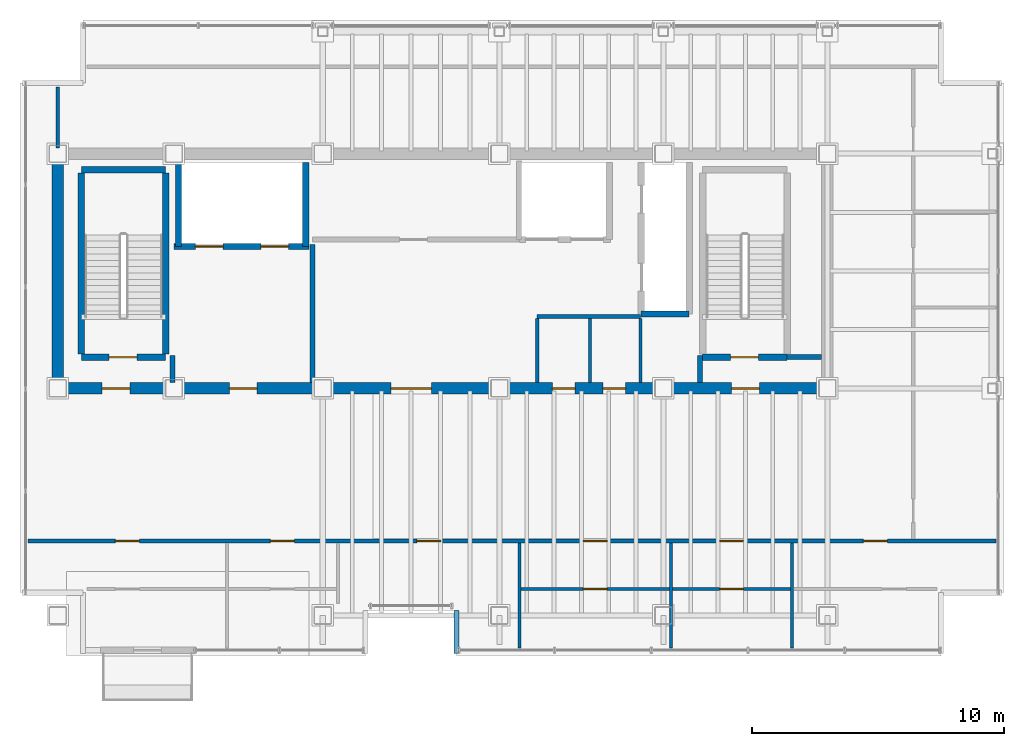
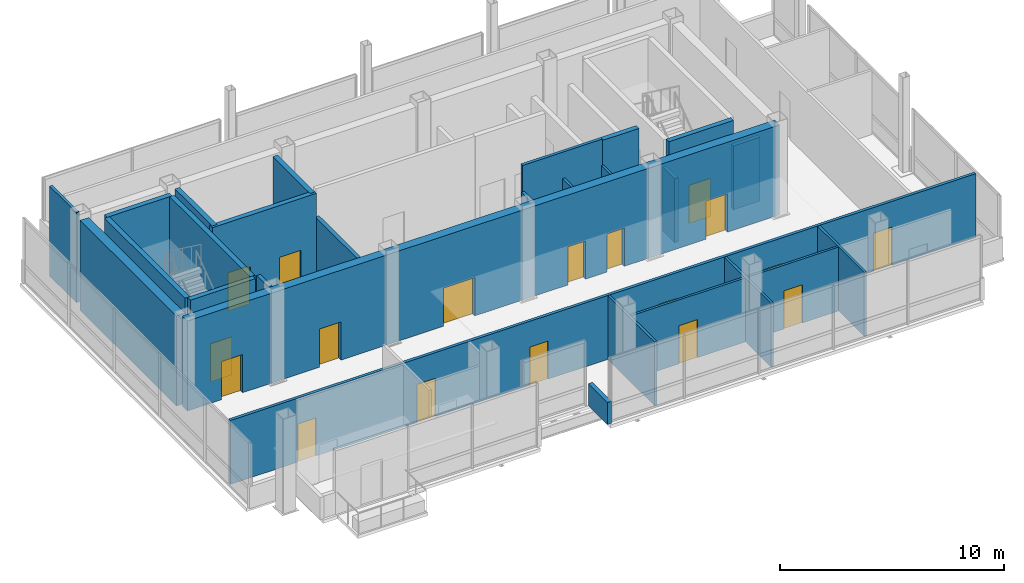
# One storey, part 15 of 17: 27 walls, 18 doors, 18 openings.
"""IFC4 building model written with IfcOpenShell, lengths in metres."""

import ifcopenshell
import ifcopenshell.guid

model = None  # the IFC model being written
_history = None  # IfcOwnerHistory: only IFC2X3 demands one
_inside = {}  # id of a spatial element -> (the spatial element, [elements in it])
_under = {}  # id of a project, library or spatial element -> (it, [spatial elements below it])
_declared = {}  # id of a project -> (the project, [libraries it declares])
_typed = {}  # id of a type object -> (the type object, [elements of that type])
_made_of = {}  # id of a material, layer set ... -> (it, [elements and type objects made of it])


def new_model(schema):
    """Start an empty IFC model of exactly this schema.

    Asked for "IFC4X3", IfcOpenShell would pick the latest addendum, in which some entities
    have other attributes; the version numbers below select the first issue.
    IFC2X3 requires an IfcOwnerHistory on every rooted entity: one is made here for all.
    """
    global model, _history
    if schema == "IFC4X3":
        model = ifcopenshell.file(schema_version=(4, 3, 0, 0))
    else:
        model = ifcopenshell.file(schema=schema)
    _inside.clear()
    _under.clear()
    _declared.clear()
    _typed.clear()
    _made_of.clear()
    _history = None
    if model.schema == "IFC2X3":
        org = make("IfcOrganization", Name="unknown")
        user = make(
            "IfcPersonAndOrganization",
            ThePerson=make("IfcPerson", FamilyName="unknown"),
            TheOrganization=org,
        )
        app = make(
            "IfcApplication",
            ApplicationDeveloper=org,
            Version="unknown",
            ApplicationFullName="unknown",
            ApplicationIdentifier="unknown",
        )
        _history = make(
            "IfcOwnerHistory",
            OwningUser=user,
            OwningApplication=app,
            ChangeAction="ADDED",
            CreationDate=0,
        )
    return model


def make(cls, **values):
    """One entity of the class cls with the attributes given. An attribute that is None is left unset."""
    return model.create_entity(
        cls, **{name: value for name, value in values.items() if value is not None}
    )


def rooted(cls, **values):
    """An entity with a GlobalId (a new one), such as an element, a storey or a relation."""
    return make(cls, GlobalId=ifcopenshell.guid.new(), OwnerHistory=_history, **values)


def si_unit(unit_type, name, prefix=None):
    """IfcSIUnit, for example si_unit("LENGTHUNIT", "METRE", prefix="MILLI")."""
    return make("IfcSIUnit", UnitType=unit_type, Prefix=prefix, Name=name)


def assignment(units):
    """IfcUnitAssignment: the units of a project."""
    return None if units is None else make("IfcUnitAssignment", Units=units)


def point(xyz):
    """IfcCartesianPoint."""
    return None if xyz is None else make("IfcCartesianPoint", Coordinates=xyz)


def direction(xyz):
    """IfcDirection."""
    return None if xyz is None else make("IfcDirection", DirectionRatios=xyz)


def frame(location, z_axis=None, x_axis=None):
    """IfcAxis2Placement3D, a coordinate frame: its origin and axes. An axis left out is left unset."""
    return make(
        "IfcAxis2Placement3D",
        Location=point(location),
        Axis=direction(z_axis),
        RefDirection=direction(x_axis),
    )


def frame_2d(location, x_axis=None):
    """IfcAxis2Placement2D, a coordinate frame in the plane: its origin and x axis."""
    return make(
        "IfcAxis2Placement2D", Location=point(location), RefDirection=direction(x_axis)
    )


def origin():
    """The frame at (0, 0, 0) with its axes left unset."""
    return frame((0.0, 0.0, 0.0))


def place(relative_to, where):
    """IfcLocalPlacement: puts the frame where relative to a parent placement (None: the world)."""
    return make(
        "IfcLocalPlacement", PlacementRelTo=relative_to, RelativePlacement=where
    )


def context(
    kind, dimensions, precision=None, world=None, true_north=None, identifier=None
):
    """IfcGeometricRepresentationContext, for example the 3D "Model" context."""
    return make(
        "IfcGeometricRepresentationContext",
        ContextIdentifier=identifier,
        ContextType=kind,
        CoordinateSpaceDimension=dimensions,
        Precision=precision,
        WorldCoordinateSystem=world,
        TrueNorth=true_north,
    )


def subcontext(parent, identifier, kind, view, scale=None):
    """IfcGeometricRepresentationSubContext, for example "Body" below "Model"."""
    return make(
        "IfcGeometricRepresentationSubContext",
        ContextIdentifier=identifier,
        ContextType=kind,
        ParentContext=parent,
        TargetScale=scale,
        TargetView=view,
    )


def project(units=None, contexts=None):
    """IfcProject with its units and contexts."""
    return rooted(
        "IfcProject",
        Name="project",
        RepresentationContexts=contexts,
        UnitsInContext=assignment(units),
    )


def spatial(cls, under=None, at=None, **own):
    """A site, building, storey or space (cls), placed at a placement, below another one or the project."""
    s = rooted(cls, ObjectPlacement=at, **own)
    if under is not None:
        _under.setdefault(under.id(), (under, []))[1].append(s)
    return s


def profile(cls, at=None, kind="AREA", **sizes):
    """A parametric profile (cls). Its sizes go by their IFC names, for example OverallWidth=200.0."""
    return make(cls, ProfileType=kind, Position=at, **sizes)


def rectangle(**sizes):
    """IfcRectangleProfileDef."""
    return profile("IfcRectangleProfileDef", **sizes)


def extrude(swept, where, along, depth):
    """IfcExtrudedAreaSolid: the profile swept, set in the frame where, extruded along a direction by depth."""
    return make(
        "IfcExtrudedAreaSolid",
        SweptArea=swept,
        Position=where,
        ExtrudedDirection=direction(along),
        Depth=depth,
    )


def shape(context_of_items, identifier, shape_type, items):
    """IfcShapeRepresentation: the items that make up one representation, for example the "Body"."""
    return make(
        "IfcShapeRepresentation",
        ContextOfItems=context_of_items,
        RepresentationIdentifier=identifier,
        RepresentationType=shape_type,
        Items=items,
    )


def material(Name=None, Category=None):
    """IfcMaterial."""
    return make("IfcMaterial", Name=Name, Category=Category)


def layer(
    of_material, thickness, ventilated=None, Name=None, Category=None, Priority=None
):
    """IfcMaterialLayer: one layer of a wall or slab, of a material (None: an air gap)."""
    return make(
        "IfcMaterialLayer",
        Material=of_material,
        LayerThickness=thickness,
        IsVentilated=ventilated,
        Name=Name,
        Category=Category,
        Priority=Priority,
    )


def layer_set(layers, Name=None):
    """IfcMaterialLayerSet."""
    return make("IfcMaterialLayerSet", MaterialLayers=layers, LayerSetName=Name)


def made_of(thing, what):
    """Note that an element or type object is made of a material, layer set ...; save() writes the relation."""
    if what is not None:
        _made_of.setdefault(what.id(), (what, []))[1].append(thing)
    return thing


def type_object(cls, material=None, **own):
    """A type object (cls), such as IfcWallType, which elements share."""
    return made_of(rooted(cls, **own), material)


def element(
    cls,
    number,
    at=None,
    inside=None,
    cuts=None,
    type_object=None,
    material=None,
    context=None,
    identifier="Body",
    shape_type=None,
    held_by="IfcProductDefinitionShape",
    body=None,
    shapes=None,
    **own,
):
    """One element of the class cls, such as IfcWall. Its Tag is "e" and its number.

    at: its placement. inside: the storey or other place that contains it. cuts: it is an
    opening in that element (IfcRelVoidsElement). A single representation is given by context,
    identifier, shape_type and body (its items); several are given by shapes. held_by: the class
    of the entity that holds the representations. save() writes the other relations.
    """
    e = rooted(cls, Tag="e%d" % number, ObjectPlacement=at, **own)
    if body is not None:
        shapes = [shape(context, identifier, shape_type, body)]
    if shapes is not None:
        e.Representation = make(held_by, Representations=shapes)
    if inside is not None:
        _inside.setdefault(inside.id(), (inside, []))[1].append(e)
    if cuts is not None:
        rooted(
            "IfcRelVoidsElement", RelatingBuildingElement=cuts, RelatedOpeningElement=e
        )
    if type_object is not None:
        _typed.setdefault(type_object.id(), (type_object, []))[1].append(e)
    return made_of(e, material)


def fill(opening, filler):
    """IfcRelFillsElement: the door or window that sits in an opening."""
    return rooted(
        "IfcRelFillsElement",
        RelatingOpeningElement=opening,
        RelatedBuildingElement=filler,
    )


def aggregate(whole, parts):
    """IfcRelAggregates: a whole, such as a stair, and the parts it consists of."""
    return rooted("IfcRelAggregates", RelatingObject=whole, RelatedObjects=parts)


def save(model, path):
    """Write the relations noted so far, then the file.

    IfcRelAggregates (storeys below a building ...), IfcRelContainedInSpatialStructure (elements
    in a storey), IfcRelDefinesByType, IfcRelAssociatesMaterial and IfcRelDeclares: one each for
    every whole, place, type object, material and project.
    """
    for whole, parts in _under.values():
        aggregate(whole, parts)
    for where, things in _inside.values():
        rooted(
            "IfcRelContainedInSpatialStructure",
            RelatedElements=things,
            RelatingStructure=where,
        )
    for kind, things in _typed.values():
        rooted("IfcRelDefinesByType", RelatedObjects=things, RelatingType=kind)
    for what, things in _made_of.values():
        rooted("IfcRelAssociatesMaterial", RelatedObjects=things, RelatingMaterial=what)
    for by, libraries in _declared.values():
        rooted("IfcRelDeclares", RelatingContext=by, RelatedDefinitions=libraries)
    model.write(path)


model = new_model("IFC4")

# Units and contexts
model_context = context("Model", 3, precision=1e-05, world=origin(), true_north=direction((0.0, 1.0)))
body_context = subcontext(model_context, "Body", "Model", "MODEL_VIEW")
ifc_project = project(units=[si_unit("LENGTHUNIT", "METRE"), si_unit("AREAUNIT", "SQUARE_METRE"), si_unit("VOLUMEUNIT", "CUBIC_METRE"), si_unit("PLANEANGLEUNIT", "RADIAN"), si_unit("MASSUNIT", "GRAM", prefix="KILO")], contexts=[model_context])

# Site, building, storey
site_placement = place(None, origin())
site = spatial("IfcSite", under=ifc_project, at=site_placement, CompositionType="ELEMENT")
building_placement = place(site_placement, origin())
building = spatial("IfcBuilding", under=site, at=building_placement, Name="Noeulbin Bourse Tower", CompositionType="ELEMENT")
storey_placement = place(building_placement, frame((0.0, 0.0, 300.800048828125)))
storey = spatial("IfcBuildingStorey", under=building, at=storey_placement, Name="L75", CompositionType="ELEMENT", Elevation=300.800048828125)

# Wall, openings, doors
ifc_material_1 = material(Name="Concrete C50/60", Category="concrete")
ifc_layer_1 = layer(ifc_material_1, 0.449951171875)
ifc_layer_set_1 = layer_set([ifc_layer_1], Name="Concrete C50/60")
wall_type_1 = type_object("IfcWallType", Name="WAL-CORE-450", PredefinedType="SHEAR", material=ifc_layer_set_1)
wall_1_placement = place(storey_placement, frame((13.5, 29.0, 0.0), z_axis=(0.0, 0.0, 1.0), x_axis=(1.0, 0.0, 0.0)))
wall_1 = element("IfcWall", 1, at=wall_1_placement, inside=storey, type_object=wall_type_1, Name="Rear Core South Shear Wall L75", PredefinedType="SHEAR", context=body_context, shape_type="SweptSolid", body=[
    extrude(rectangle(XDim=30.5, YDim=0.449951171875, at=frame_2d((15.25, 0.0))), origin(), (0.0, 0.0, 1.0), 4.89990234375),
])
opening_1_placement = place(wall_1_placement, frame((1.75, 0.0, 0.0)))
opening_1 = element("IfcOpeningElement", 2, at=opening_1_placement, cuts=wall_1, Name="Opening FD-11", PredefinedType="OPENING", context=body_context, shape_type="SweptSolid", body=[
    extrude(rectangle(XDim=1.10009765625, YDim=2.080078125, at=frame_2d((0.550048828125, 1.0400390625))), frame((0.0, 0.23486328125, 0.0), z_axis=(0.0, -1.0, 0.0), x_axis=(1.0, 0.0, 0.0)), (0.0, 0.0, 1.0), 0.469970703125),
])
opening_2_placement = place(wall_1_placement, frame((26.699951171875, 0.0, 0.0)))
opening_2 = element("IfcOpeningElement", 3, at=opening_2_placement, cuts=wall_1, Name="Opening FD-11", PredefinedType="OPENING", context=body_context, shape_type="SweptSolid", body=[
    extrude(rectangle(XDim=1.10009765625, YDim=2.080078125, at=frame_2d((0.550048828125, 1.0400390625))), frame((0.0, 0.23486328125, 0.0), z_axis=(0.0, -1.0, 0.0), x_axis=(1.0, 0.0, 0.0)), (0.0, 0.0, 1.0), 0.469970703125),
])
opening_3_placement = place(wall_1_placement, frame((6.800048828125, 0.0, 0.0)))
opening_3 = element("IfcOpeningElement", 4, at=opening_3_placement, cuts=wall_1, Name="Opening FD-11", PredefinedType="OPENING", context=body_context, shape_type="SweptSolid", body=[
    extrude(rectangle(XDim=1.10009765625, YDim=2.080078125, at=frame_2d((0.550048828125, 1.0400390625))), frame((0.0, 0.23486328125, 0.0), z_axis=(0.0, -1.0, 0.0), x_axis=(1.0, 0.0, 0.0)), (0.0, 0.0, 1.0), 0.469970703125),
])
opening_4_placement = place(wall_1_placement, frame((13.199951171875, 0.0, 0.0)))
opening_4 = element("IfcOpeningElement", 5, at=opening_4_placement, cuts=wall_1, Name="Opening ID-16", PredefinedType="OPENING", context=body_context, shape_type="SweptSolid", body=[
    extrude(rectangle(XDim=1.60009765625, YDim=2.080078125, at=frame_2d((0.800048828125, 1.0400390625))), frame((0.0, 0.23486328125, 0.0), z_axis=(0.0, -1.0, 0.0), x_axis=(1.0, 0.0, 0.0)), (0.0, 0.0, 1.0), 0.469970703125),
])
opening_5_placement = place(wall_1_placement, frame((19.60009765625, 0.0, 0.0)))
opening_5 = element("IfcOpeningElement", 6, at=opening_5_placement, cuts=wall_1, Name="Opening FD-09", PredefinedType="OPENING", context=body_context, shape_type="SweptSolid", body=[
    extrude(rectangle(XDim=0.89990234375, YDim=2.080078125, at=frame_2d((0.449951171875, 1.0400390625))), frame((0.0, 0.23486328125, 0.0), z_axis=(0.0, -1.0, 0.0), x_axis=(1.0, 0.0, 0.0)), (0.0, 0.0, 1.0), 0.469970703125),
])
opening_6_placement = place(wall_1_placement, frame((21.60009765625, 0.0, 0.0)))
opening_6 = element("IfcOpeningElement", 7, at=opening_6_placement, cuts=wall_1, Name="Opening FD-09", PredefinedType="OPENING", context=body_context, shape_type="SweptSolid", body=[
    extrude(rectangle(XDim=0.89990234375, YDim=2.080078125, at=frame_2d((0.449951171875, 1.0400390625))), frame((0.0, 0.23486328125, 0.0), z_axis=(0.0, -1.0, 0.0), x_axis=(1.0, 0.0, 0.0)), (0.0, 0.0, 1.0), 0.469970703125),
])
ifc_material_2 = material(Name="Acoustic Glazed Aluminium", Category="aluminium")
door_type_1 = type_object("IfcDoorType", Name="DR-DBL-1600", OperationType="DOUBLE_DOOR_SINGLE_SWING", PredefinedType="DOOR", material=ifc_material_2)
door_1_placement = place(opening_4_placement, origin())
door_1 = element("IfcDoor", 8, at=door_1_placement, inside=storey, type_object=door_type_1, Name="Passenger Lift Lobby Portal L75", OperationType="DOUBLE_DOOR_SINGLE_SWING", OverallHeight=2.080078125, OverallWidth=1.60009765625, PredefinedType="DOOR", context=body_context, shape_type="SweptSolid", body=[
    extrude(rectangle(XDim=1.60009765625, YDim=2.080078125, at=frame_2d((0.800048828125, 1.0400390625))), frame((0.0, 0.02490234375, 0.0), z_axis=(0.0, -1.0, 0.0), x_axis=(1.0, 0.0, 0.0)), (0.0, 0.0, 1.0), 0.050048828125),
])
fill(opening_4, door_1)
ifc_material_3 = material(Name="Fire-Rated Timber Core", Category="wood")
door_type_2 = type_object("IfcDoorType", Name="DR-FD30-900", OperationType="SINGLE_SWING_RIGHT", PredefinedType="DOOR", material=ifc_material_3)
door_2_placement = place(opening_5_placement, origin())
door_2 = element("IfcDoor", 9, at=door_2_placement, inside=storey, type_object=door_type_2, Name="Interior Door L75-06", OperationType="SINGLE_SWING_LEFT", OverallHeight=2.080078125, OverallWidth=0.89990234375, PredefinedType="DOOR", context=body_context, shape_type="SweptSolid", body=[
    extrude(rectangle(XDim=0.89990234375, YDim=2.080078125, at=frame_2d((0.449951171875, 1.0400390625))), frame((0.0, 0.02490234375, 0.0), z_axis=(0.0, -1.0, 0.0), x_axis=(1.0, 0.0, 0.0)), (0.0, 0.0, 1.0), 0.050048828125),
])
fill(opening_5, door_2)
door_3_placement = place(opening_6_placement, origin())
door_3 = element("IfcDoor", 10, at=door_3_placement, inside=storey, type_object=door_type_2, Name="Interior Door L75-07", OperationType="SINGLE_SWING_RIGHT", OverallHeight=2.080078125, OverallWidth=0.89990234375, PredefinedType="DOOR", context=body_context, shape_type="SweptSolid", body=[
    extrude(rectangle(XDim=0.89990234375, YDim=2.080078125, at=frame_2d((0.449951171875, 1.0400390625))), frame((0.0, 0.02490234375, 0.0), z_axis=(0.0, -1.0, 0.0), x_axis=(1.0, 0.0, 0.0)), (0.0, 0.0, 1.0), 0.050048828125),
])
fill(opening_6, door_3)
ifc_material_4 = material(Name="Fire-Rated Insulated Steel", Category="steel")
door_type_3 = type_object("IfcDoorType", Name="DR-FD60-1100", OperationType="SINGLE_SWING_LEFT", PredefinedType="DOOR", material=ifc_material_4)
door_4_placement = place(opening_1_placement, origin())
door_4 = element("IfcDoor", 11, at=door_4_placement, inside=storey, type_object=door_type_3, Name="West Stair Lobby Door L75", OperationType="SINGLE_SWING_RIGHT", OverallHeight=2.080078125, OverallWidth=1.10009765625, PredefinedType="DOOR", context=body_context, shape_type="SweptSolid", body=[
    extrude(rectangle(XDim=1.10009765625, YDim=2.080078125, at=frame_2d((0.550048828125, 1.0400390625))), frame((0.0, 0.02490234375, 0.0), z_axis=(0.0, -1.0, 0.0), x_axis=(1.0, 0.0, 0.0)), (0.0, 0.0, 1.0), 0.050048828125),
])
fill(opening_1, door_4)
door_5_placement = place(opening_2_placement, origin())
door_5 = element("IfcDoor", 12, at=door_5_placement, inside=storey, type_object=door_type_3, Name="East Stair Lobby Door L75", OperationType="SINGLE_SWING_LEFT", OverallHeight=2.080078125, OverallWidth=1.10009765625, PredefinedType="DOOR", context=body_context, shape_type="SweptSolid", body=[
    extrude(rectangle(XDim=1.10009765625, YDim=2.080078125, at=frame_2d((0.550048828125, 1.0400390625))), frame((0.0, 0.02490234375, 0.0), z_axis=(0.0, -1.0, 0.0), x_axis=(1.0, 0.0, 0.0)), (0.0, 0.0, 1.0), 0.050048828125),
])
fill(opening_2, door_5)
door_6_placement = place(opening_3_placement, origin())
door_6 = element("IfcDoor", 13, at=door_6_placement, inside=storey, type_object=door_type_3, Name="Firefighting Lobby Door L75", OperationType="SINGLE_SWING_RIGHT", OverallHeight=2.080078125, OverallWidth=1.10009765625, PredefinedType="DOOR", context=body_context, shape_type="SweptSolid", body=[
    extrude(rectangle(XDim=1.10009765625, YDim=2.080078125, at=frame_2d((0.550048828125, 1.0400390625))), frame((0.0, 0.02490234375, 0.0), z_axis=(0.0, -1.0, 0.0), x_axis=(1.0, 0.0, 0.0)), (0.0, 0.0, 1.0), 0.050048828125),
])
fill(opening_3, door_6)

# Walls
wall_2_placement = place(storey_placement, frame((13.5, 29.35009765625, 0.0), z_axis=(0.0, 0.0, 1.0), x_axis=(0.0, 1.0, 0.0)))
element("IfcWall", 14, at=wall_2_placement, inside=storey, type_object=wall_type_1, Name="Rear Core West Shear Wall L75", PredefinedType="SHEAR", context=body_context, shape_type="SweptSolid", body=[
    extrude(rectangle(XDim=8.599853515625, YDim=0.449951171875, at=frame_2d((4.2998046875, 0.0))), origin(), (0.0, 0.0, 1.0), 4.89990234375),
])
ifc_material_5 = material(Name="Concrete C40/50", Category="concrete")
ifc_layer_2 = layer(ifc_material_5, 0.199951171875)
ifc_layer_set_2 = layer_set([ifc_layer_2], Name="Concrete C40/50")
wall_type_2 = type_object("IfcWallType", Name="WAL-FIRE-200", PredefinedType="STANDARD", material=ifc_layer_set_2)
wall_3_placement = place(storey_placement, frame((42.39990234375, 30.239990234375, 0.0), z_axis=(0.0, 0.0, 1.0), x_axis=(1.0, 0.0, 0.0)))
element("IfcWall", 15, at=wall_3_placement, inside=storey, type_object=wall_type_2, Name="Interior Partition Wall L75-01", PredefinedType="STANDARD", context=body_context, shape_type="SweptSolid", body=[
    extrude(rectangle(XDim=1.364990234375, YDim=0.199951171875, at=frame_2d((0.6826171875, 0.0))), origin(), (0.0, 0.0, 1.0), 3.47998046875),
])
wall_4_placement = place(storey_placement, frame((18.050048828125, 29.235107421875, 0.0), z_axis=(0.0, 0.0, 1.0), x_axis=(0.0, 1.0, 0.0)))
element("IfcWall", 16, at=wall_4_placement, inside=storey, type_object=wall_type_2, Name="Interior Partition Wall L75-13", PredefinedType="STANDARD", context=body_context, shape_type="SweptSolid", body=[
    extrude(rectangle(XDim=1.06494140625, YDim=0.199951171875, at=frame_2d((0.532470703125, 0.0))), origin(), (0.0, 0.0, 1.0), 4.89990234375),
])
wall_5_placement = place(storey_placement, frame((38.949951171875, 29.235107421875, 0.0), z_axis=(0.0, 0.0, 1.0), x_axis=(0.0, 1.0, 0.0)))
element("IfcWall", 17, at=wall_5_placement, inside=storey, type_object=wall_type_2, Name="Interior Partition Wall L75-14", PredefinedType="STANDARD", context=body_context, shape_type="SweptSolid", body=[
    extrude(rectangle(XDim=1.06494140625, YDim=0.199951171875, at=frame_2d((0.532470703125, 0.0))), origin(), (0.0, 0.0, 1.0), 3.47998046875),
])
wall_6_placement = place(storey_placement, frame((23.60009765625, 29.235107421875, 0.0), z_axis=(0.0, 0.0, 1.0), x_axis=(0.0, 1.0, 0.0)))
element("IfcWall", 18, at=wall_6_placement, inside=storey, type_object=wall_type_2, Name="Interior Partition Wall L75-15", PredefinedType="STANDARD", context=body_context, shape_type="SweptSolid", body=[
    extrude(rectangle(XDim=5.46484375, YDim=0.199951171875, at=frame_2d((2.732421875, 0.0))), origin(), (0.0, 0.0, 1.0), 3.47998046875),
])
ifc_layer_3 = layer(ifc_material_5, 0.199951171875)
ifc_layer_set_3 = layer_set([ifc_layer_3], Name="Concrete C40/50")
wall_type_3 = type_object("IfcWallType", Name="WAL-PAR-200", PredefinedType="PARAPET", material=ifc_layer_set_3)
wall_7_placement = place(storey_placement, frame((29.300048828125, 20.199951171875, 0.0), z_axis=(0.0, 0.0, 1.0), x_axis=(0.0, -1.0, 0.0)))
element("IfcWall", 19, at=wall_7_placement, inside=storey, type_object=wall_type_3, Name="Sky-Garden Recess Parapet L75-E", PredefinedType="PARAPET", context=body_context, shape_type="SweptSolid", body=[
    extrude(rectangle(XDim=1.699951171875, YDim=0.199951171875, at=frame_2d((0.85009765625, 0.0))), origin(), (0.0, 0.0, 1.0), 1.199951171875),
])

# Wall, opening, door
ifc_material_6 = material(Name="Steel Stud Gypsum Partition", Category="steel")
ifc_layer_4 = layer(ifc_material_6, 0.1201171875)
ifc_layer_set_4 = layer_set([ifc_layer_4], Name="Steel Stud Gypsum Partition")
wall_type_4 = type_object("IfcWallType", Name="WAL-PRT-120", PredefinedType="PARTITIONING", material=ifc_layer_set_4)
wall_8_placement = place(storey_placement, frame((31.800048828125, 21.050048828125, 0.0), z_axis=(0.0, 0.0, 1.0), x_axis=(1.0, 0.0, 0.0)))
wall_8 = element("IfcWall", 20, at=wall_8_placement, inside=storey, type_object=wall_type_4, Name="Interior Partition Wall L75-07", PredefinedType="PARTITIONING", context=body_context, shape_type="SweptSolid", body=[
    extrude(rectangle(XDim=6.0, YDim=0.1201171875, at=frame_2d((3.0, 0.0))), origin(), (0.0, 0.0, 1.0), 3.47998046875),
])
opening_7_placement = place(wall_8_placement, frame((2.52490234375, 0.0, 0.0)))
opening_7 = element("IfcOpeningElement", 21, at=opening_7_placement, cuts=wall_8, Name="Opening ID-09", PredefinedType="OPENING", context=body_context, shape_type="SweptSolid", body=[
    extrude(rectangle(XDim=0.949951171875, YDim=2.080078125, at=frame_2d((0.47509765625, 1.0400390625))), frame((0.0, 0.070068359375, 0.0), z_axis=(0.0, -1.0, 0.0), x_axis=(1.0, 0.0, 0.0)), (0.0, 0.0, 1.0), 0.14013671875),
])
ifc_material_7 = material(Name="Acoustic Solid-Core Timber", Category="wood")
door_type_4 = type_object("IfcDoorType", Name="DR-SINGLE-950", OperationType="SINGLE_SWING_LEFT", PredefinedType="DOOR", material=ifc_material_7)
door_7_placement = place(opening_7_placement, origin())
door_7 = element("IfcDoor", 22, at=door_7_placement, inside=storey, type_object=door_type_4, Name="Interior Door L75-13", OperationType="SINGLE_SWING_RIGHT", OverallHeight=2.080078125, OverallWidth=0.949951171875, PredefinedType="DOOR", context=body_context, shape_type="SweptSolid", body=[
    extrude(rectangle(XDim=0.949951171875, YDim=2.080078125, at=frame_2d((0.47509765625, 1.0400390625))), frame((0.0, 0.02490234375, 0.0), z_axis=(0.0, -1.0, 0.0), x_axis=(1.0, 0.0, 0.0)), (0.0, 0.0, 1.0), 0.050048828125),
])
fill(opening_7, door_7)

wall_9_placement = place(storey_placement, frame((37.800048828125, 21.050048828125, 0.0), z_axis=(0.0, 0.0, 1.0), x_axis=(1.0, 0.0, 0.0)))
wall_9 = element("IfcWall", 23, at=wall_9_placement, inside=storey, type_object=wall_type_4, Name="Interior Partition Wall L75-08", PredefinedType="PARTITIONING", context=body_context, shape_type="SweptSolid", body=[
    extrude(rectangle(XDim=4.800048828125, YDim=0.1201171875, at=frame_2d((2.39990234375, 0.0))), origin(), (0.0, 0.0, 1.0), 3.47998046875),
])
opening_8_placement = place(wall_9_placement, frame((1.925048828125, 0.0, 0.0)))
opening_8 = element("IfcOpeningElement", 24, at=opening_8_placement, cuts=wall_9, Name="Opening ID-09", PredefinedType="OPENING", context=body_context, shape_type="SweptSolid", body=[
    extrude(rectangle(XDim=0.949951171875, YDim=2.080078125, at=frame_2d((0.47509765625, 1.0400390625))), frame((0.0, 0.070068359375, 0.0), z_axis=(0.0, -1.0, 0.0), x_axis=(1.0, 0.0, 0.0)), (0.0, 0.0, 1.0), 0.14013671875),
])
door_8_placement = place(opening_8_placement, origin())
door_8 = element("IfcDoor", 25, at=door_8_placement, inside=storey, type_object=door_type_4, Name="Interior Door L75-15", OperationType="SINGLE_SWING_RIGHT", OverallHeight=2.080078125, OverallWidth=0.949951171875, PredefinedType="DOOR", context=body_context, shape_type="SweptSolid", body=[
    extrude(rectangle(XDim=0.949951171875, YDim=2.080078125, at=frame_2d((0.47509765625, 1.0400390625))), frame((0.0, 0.02490234375, 0.0), z_axis=(0.0, -1.0, 0.0), x_axis=(1.0, 0.0, 0.0)), (0.0, 0.0, 1.0), 0.050048828125),
])
fill(opening_8, door_8)

# Walls
for number, where, z_axis, x_axis, name in (
    (26, (36.60009765625, 29.235107421875, 0.0), (0.0, 0.0, 1.0), (0.0, 1.0, 0.0), "Interior Partition Wall L75-17"),
    (27, (34.60009765625, 29.235107421875, 0.0), (0.0, 0.0, 1.0), (0.0, 1.0, 0.0), "Interior Partition Wall L75-18"),
):
    element("IfcWall", number, at=place(storey_placement, frame(where, z_axis=z_axis, x_axis=x_axis)), inside=storey, type_object=wall_type_4, Name=name, PredefinedType="PARTITIONING", context=body_context, shape_type="SweptSolid", body=[
        extrude(rectangle(XDim=2.52978515625, YDim=0.1201171875, at=frame_2d((1.264892578125, 0.0))), origin(), (0.0, 0.0, 1.0), 3.47998046875),
    ])
for number, where, z_axis, x_axis, name in (
    (28, (31.800048828125, 18.7099609375, 0.0), (0.0, 0.0, 1.0), (0.0, 1.0, 0.0), "Interior Partition Wall L75-22"),
    (29, (37.800048828125, 18.7099609375, 0.0), (0.0, 0.0, 1.0), (0.0, 1.0, 0.0), "Interior Partition Wall L75-23"),
    (30, (42.60009765625, 18.7099609375, 0.0), (0.0, 0.0, 1.0), (0.0, 1.0, 0.0), "Interior Partition Wall L75-24"),
):
    element("IfcWall", number, at=place(storey_placement, frame(where, z_axis=z_axis, x_axis=x_axis)), inside=storey, type_object=wall_type_4, Name=name, PredefinedType="PARTITIONING", context=body_context, shape_type="SweptSolid", body=[
        extrude(rectangle(XDim=4.155029296875, YDim=0.1201171875, at=frame_2d((2.07763671875, 0.0))), origin(), (0.0, 0.0, 1.0), 3.47998046875),
    ])
ifc_material_8 = material(Name="Steel Stud Acoustic Gypsum Board", Category="steel")
ifc_layer_5 = layer(ifc_material_8, 0.14990234375)
ifc_layer_set_5 = layer_set([ifc_layer_5], Name="Steel Stud Acoustic Gypsum Board")
wall_type_5 = type_object("IfcWallType", Name="WAL-PRT-150", PredefinedType="PARTITIONING", material=ifc_layer_set_5)
wall_10_placement = place(storey_placement, frame((32.5, 31.85009765625, 0.0), z_axis=(0.0, 0.0, 1.0), x_axis=(1.0, 0.0, 0.0)))
element("IfcWall", 31, at=wall_10_placement, inside=storey, type_object=wall_type_5, Name="Interior Partition Wall L75-03", PredefinedType="PARTITIONING", context=body_context, shape_type="SweptSolid", body=[
    extrude(rectangle(XDim=4.10009765625, YDim=0.14990234375, at=frame_2d((2.050048828125, 0.0))), origin(), (0.0, 0.0, 1.0), 4.89990234375),
])

# Wall, openings, doors
wall_11_placement = place(storey_placement, frame((12.31005859375, 22.949951171875, 0.0), z_axis=(0.0, 0.0, 1.0), x_axis=(1.0, 0.0, 0.0)))
wall_11 = element("IfcWall", 32, at=wall_11_placement, inside=storey, type_object=wall_type_5, Name="Interior Partition Wall L75-04", PredefinedType="PARTITIONING", context=body_context, shape_type="SweptSolid", body=[
    extrude(rectangle(XDim=38.3798828125, YDim=0.14990234375, at=frame_2d((19.18994140625, 0.0))), origin(), (0.0, 0.0, 1.0), 3.47998046875),
])
opening_9_placement = place(wall_11_placement, frame((3.469970703125, 0.0, 0.0)))
opening_9 = element("IfcOpeningElement", 33, at=opening_9_placement, cuts=wall_11, Name="Opening ID-09", PredefinedType="OPENING", context=body_context, shape_type="SweptSolid", body=[
    extrude(rectangle(XDim=0.949951171875, YDim=2.080078125, at=frame_2d((0.47509765625, 1.0400390625))), frame((0.0, 0.0849609375, 0.0), z_axis=(0.0, -1.0, 0.0), x_axis=(1.0, 0.0, 0.0)), (0.0, 0.0, 1.0), 0.169921875),
])
opening_10_placement = place(wall_11_placement, frame((9.614990234375, 0.0, 0.0)))
opening_10 = element("IfcOpeningElement", 34, at=opening_10_placement, cuts=wall_11, Name="Opening ID-09", PredefinedType="OPENING", context=body_context, shape_type="SweptSolid", body=[
    extrude(rectangle(XDim=0.949951171875, YDim=2.080078125, at=frame_2d((0.47509765625, 1.0400390625))), frame((0.0, 0.0849609375, 0.0), z_axis=(0.0, -1.0, 0.0), x_axis=(1.0, 0.0, 0.0)), (0.0, 0.0, 1.0), 0.169921875),
])
opening_11_placement = place(wall_11_placement, frame((15.4150390625, 0.0, 0.0)))
opening_11 = element("IfcOpeningElement", 35, at=opening_11_placement, cuts=wall_11, Name="Opening ID-09", PredefinedType="OPENING", context=body_context, shape_type="SweptSolid", body=[
    extrude(rectangle(XDim=0.949951171875, YDim=2.080078125, at=frame_2d((0.47509765625, 1.0400390625))), frame((0.0, 0.0849609375, 0.0), z_axis=(0.0, -1.0, 0.0), x_axis=(1.0, 0.0, 0.0)), (0.0, 0.0, 1.0), 0.169921875),
])
opening_12_placement = place(wall_11_placement, frame((22.014892578125, 0.0, 0.0)))
opening_12 = element("IfcOpeningElement", 36, at=opening_12_placement, cuts=wall_11, Name="Opening ID-09", PredefinedType="OPENING", context=body_context, shape_type="SweptSolid", body=[
    extrude(rectangle(XDim=0.949951171875, YDim=2.080078125, at=frame_2d((0.47509765625, 1.0400390625))), frame((0.0, 0.0849609375, 0.0), z_axis=(0.0, -1.0, 0.0), x_axis=(1.0, 0.0, 0.0)), (0.0, 0.0, 1.0), 0.169921875),
])
opening_13_placement = place(wall_11_placement, frame((27.4150390625, 0.0, 0.0)))
opening_13 = element("IfcOpeningElement", 37, at=opening_13_placement, cuts=wall_11, Name="Opening ID-09", PredefinedType="OPENING", context=body_context, shape_type="SweptSolid", body=[
    extrude(rectangle(XDim=0.949951171875, YDim=2.080078125, at=frame_2d((0.47509765625, 1.0400390625))), frame((0.0, 0.0849609375, 0.0), z_axis=(0.0, -1.0, 0.0), x_axis=(1.0, 0.0, 0.0)), (0.0, 0.0, 1.0), 0.169921875),
])
opening_14_placement = place(wall_11_placement, frame((33.114990234375, 0.0, 0.0)))
opening_14 = element("IfcOpeningElement", 38, at=opening_14_placement, cuts=wall_11, Name="Opening ID-09", PredefinedType="OPENING", context=body_context, shape_type="SweptSolid", body=[
    extrude(rectangle(XDim=0.949951171875, YDim=2.080078125, at=frame_2d((0.47509765625, 1.0400390625))), frame((0.0, 0.0849609375, 0.0), z_axis=(0.0, -1.0, 0.0), x_axis=(1.0, 0.0, 0.0)), (0.0, 0.0, 1.0), 0.169921875),
])
door_9_placement = place(opening_9_placement, origin())
door_9 = element("IfcDoor", 39, at=door_9_placement, inside=storey, type_object=door_type_4, Name="Interior Door L75-09", OperationType="SINGLE_SWING_RIGHT", OverallHeight=2.080078125, OverallWidth=0.949951171875, PredefinedType="DOOR", context=body_context, shape_type="SweptSolid", body=[
    extrude(rectangle(XDim=0.949951171875, YDim=2.080078125, at=frame_2d((0.47509765625, 1.0400390625))), frame((0.0, 0.02490234375, 0.0), z_axis=(0.0, -1.0, 0.0), x_axis=(1.0, 0.0, 0.0)), (0.0, 0.0, 1.0), 0.050048828125),
])
fill(opening_9, door_9)
door_10_placement = place(opening_10_placement, origin())
door_10 = element("IfcDoor", 40, at=door_10_placement, inside=storey, type_object=door_type_4, Name="Interior Door L75-11", OperationType="SINGLE_SWING_RIGHT", OverallHeight=2.080078125, OverallWidth=0.949951171875, PredefinedType="DOOR", context=body_context, shape_type="SweptSolid", body=[
    extrude(rectangle(XDim=0.949951171875, YDim=2.080078125, at=frame_2d((0.47509765625, 1.0400390625))), frame((0.0, 0.02490234375, 0.0), z_axis=(0.0, -1.0, 0.0), x_axis=(1.0, 0.0, 0.0)), (0.0, 0.0, 1.0), 0.050048828125),
])
fill(opening_10, door_10)
door_11_placement = place(opening_11_placement, origin())
door_11 = element("IfcDoor", 41, at=door_11_placement, inside=storey, type_object=door_type_4, Name="Interior Door L75-12", OperationType="SINGLE_SWING_LEFT", OverallHeight=2.080078125, OverallWidth=0.949951171875, PredefinedType="DOOR", context=body_context, shape_type="SweptSolid", body=[
    extrude(rectangle(XDim=0.949951171875, YDim=2.080078125, at=frame_2d((0.47509765625, 1.0400390625))), frame((0.0, 0.02490234375, 0.0), z_axis=(0.0, -1.0, 0.0), x_axis=(1.0, 0.0, 0.0)), (0.0, 0.0, 1.0), 0.050048828125),
])
fill(opening_11, door_11)
door_12_placement = place(opening_12_placement, origin())
door_12 = element("IfcDoor", 42, at=door_12_placement, inside=storey, type_object=door_type_4, Name="Interior Door L75-14", OperationType="SINGLE_SWING_LEFT", OverallHeight=2.080078125, OverallWidth=0.949951171875, PredefinedType="DOOR", context=body_context, shape_type="SweptSolid", body=[
    extrude(rectangle(XDim=0.949951171875, YDim=2.080078125, at=frame_2d((0.47509765625, 1.0400390625))), frame((0.0, 0.02490234375, 0.0), z_axis=(0.0, -1.0, 0.0), x_axis=(1.0, 0.0, 0.0)), (0.0, 0.0, 1.0), 0.050048828125),
])
fill(opening_12, door_12)
door_13_placement = place(opening_13_placement, origin())
door_13 = element("IfcDoor", 43, at=door_13_placement, inside=storey, type_object=door_type_4, Name="Interior Door L75-16", OperationType="SINGLE_SWING_LEFT", OverallHeight=2.080078125, OverallWidth=0.949951171875, PredefinedType="DOOR", context=body_context, shape_type="SweptSolid", body=[
    extrude(rectangle(XDim=0.949951171875, YDim=2.080078125, at=frame_2d((0.47509765625, 1.0400390625))), frame((0.0, 0.02490234375, 0.0), z_axis=(0.0, -1.0, 0.0), x_axis=(1.0, 0.0, 0.0)), (0.0, 0.0, 1.0), 0.050048828125),
])
fill(opening_13, door_13)
door_14_placement = place(opening_14_placement, origin())
door_14 = element("IfcDoor", 44, at=door_14_placement, inside=storey, type_object=door_type_4, Name="Interior Door L75-18", OperationType="SINGLE_SWING_LEFT", OverallHeight=2.080078125, OverallWidth=0.949951171875, PredefinedType="DOOR", context=body_context, shape_type="SweptSolid", body=[
    extrude(rectangle(XDim=0.949951171875, YDim=2.080078125, at=frame_2d((0.47509765625, 1.0400390625))), frame((0.0, 0.02490234375, 0.0), z_axis=(0.0, -1.0, 0.0), x_axis=(1.0, 0.0, 0.0)), (0.0, 0.0, 1.0), 0.050048828125),
])
fill(opening_14, door_14)

# Walls
wall_12_placement = place(storey_placement, frame((32.5, 29.235107421875, 0.0), z_axis=(0.0, 0.0, 1.0), x_axis=(0.0, 1.0, 0.0)))
element("IfcWall", 45, at=wall_12_placement, inside=storey, type_object=wall_type_5, Name="Interior Partition Wall L75-16", PredefinedType="PARTITIONING", context=body_context, shape_type="SweptSolid", body=[
    extrude(rectangle(XDim=2.52978515625, YDim=0.14990234375, at=frame_2d((1.264892578125, 0.0))), origin(), (0.0, 0.0, 1.0), 3.47998046875),
])
wall_13_placement = place(storey_placement, frame((13.5, 38.534912109375, 0.0), z_axis=(0.0, 0.0, 1.0), x_axis=(0.0, 1.0, 0.0)))
element("IfcWall", 46, at=wall_13_placement, inside=storey, type_object=wall_type_5, Name="Interior Partition Wall L75-25", PredefinedType="PARTITIONING", context=body_context, shape_type="SweptSolid", body=[
    extrude(rectangle(XDim=2.405029296875, YDim=0.14990234375, at=frame_2d((1.20263671875, 0.0))), origin(), (0.0, 0.0, 1.0), 4.89990234375),
])

# Wall, opening, door
ifc_layer_6 = layer(ifc_material_5, 0.25)
ifc_layer_set_6 = layer_set([ifc_layer_6], Name="Concrete C40/50")
wall_type_6 = type_object("IfcWallType", Name="WAL-SHFT-250", PredefinedType="STANDARD", material=ifc_layer_set_6)
wall_14_placement = place(storey_placement, frame((14.429931640625, 30.235107421875, 0.0), z_axis=(0.0, 0.0, 1.0), x_axis=(1.0, 0.0, 0.0)))
wall_14 = element("IfcWall", 47, at=wall_14_placement, inside=storey, type_object=wall_type_6, Name="Stair ST-1 South Shaft Wall L75", PredefinedType="STANDARD", context=body_context, shape_type="SweptSolid", body=[
    extrude(rectangle(XDim=3.340087890625, YDim=0.25, at=frame_2d((1.669921875, 0.0))), origin(), (0.0, 0.0, 1.0), 4.89990234375),
])
opening_15_placement = place(wall_14_placement, frame((1.10009765625, 0.0, 0.0)))
opening_15 = element("IfcOpeningElement", 48, at=opening_15_placement, cuts=wall_14, Name="Opening FD-11", PredefinedType="OPENING", context=body_context, shape_type="SweptSolid", body=[
    extrude(rectangle(XDim=1.10009765625, YDim=2.080078125, at=frame_2d((0.550048828125, 1.0400390625))), frame((0.0, 0.135009765625, 0.0), z_axis=(0.0, -1.0, 0.0), x_axis=(1.0, 0.0, 0.0)), (0.0, 0.0, 1.0), 0.27001953125),
])
door_15_placement = place(opening_15_placement, origin())
door_15 = element("IfcDoor", 49, at=door_15_placement, inside=storey, type_object=door_type_3, Name="Protected Stair Entry Door ST1-L75", OperationType="SINGLE_SWING_RIGHT", OverallHeight=2.080078125, OverallWidth=1.10009765625, PredefinedType="DOOR", context=body_context, shape_type="SweptSolid", body=[
    extrude(rectangle(XDim=1.10009765625, YDim=2.080078125, at=frame_2d((0.550048828125, 1.0400390625))), frame((0.0, 0.02490234375, 0.0), z_axis=(0.0, -1.0, 0.0), x_axis=(1.0, 0.0, 0.0)), (0.0, 0.0, 1.0), 0.050048828125),
])
fill(opening_15, door_15)

# Walls
wall_15_placement = place(storey_placement, frame((14.429931640625, 37.6689453125, 0.0), z_axis=(0.0, 0.0, 1.0), x_axis=(1.0, 0.0, 0.0)))
element("IfcWall", 50, at=wall_15_placement, inside=storey, type_object=wall_type_6, Name="Stair ST-1 North Shaft Wall L75", PredefinedType="STANDARD", context=body_context, shape_type="SweptSolid", body=[
    extrude(rectangle(XDim=3.340087890625, YDim=0.25, at=frame_2d((1.669921875, 0.0))), origin(), (0.0, 0.0, 1.0), 4.89990234375),
])
for number, where, z_axis, x_axis, name in (
    (51, (14.425048828125, 30.360107421875, 0.0), (0.0, 0.0, 1.0), (0.0, 1.0, 0.0), "Stair ST-1 West Shaft Wall L75"),
    (52, (17.77490234375, 30.360107421875, 0.0), (0.0, 0.0, 1.0), (0.0, 1.0, 0.0), "Stair ST-1 East Shaft Wall L75"),
):
    element("IfcWall", number, at=place(storey_placement, frame(where, z_axis=z_axis, x_axis=x_axis)), inside=storey, type_object=wall_type_6, Name=name, PredefinedType="STANDARD", context=body_context, shape_type="SweptSolid", body=[
        extrude(rectangle(XDim=7.183837890625, YDim=0.25, at=frame_2d((3.591796875, 0.0))), origin(), (0.0, 0.0, 1.0), 4.89990234375),
    ])

# Wall, opening, door
wall_16_placement = place(storey_placement, frame((39.06005859375, 30.235107421875, 0.0), z_axis=(0.0, 0.0, 1.0), x_axis=(1.0, 0.0, 0.0)))
wall_16 = element("IfcWall", 53, at=wall_16_placement, inside=storey, type_object=wall_type_6, Name="Stair ST-2 South Shaft Wall L75", PredefinedType="STANDARD", context=body_context, shape_type="SweptSolid", body=[
    extrude(rectangle(XDim=3.33984375, YDim=0.25, at=frame_2d((1.669921875, 0.0))), origin(), (0.0, 0.0, 1.0), 4.89990234375),
])
opening_16_placement = place(wall_16_placement, frame((1.10009765625, 0.0, 0.0)))
opening_16 = element("IfcOpeningElement", 54, at=opening_16_placement, cuts=wall_16, Name="Opening FD-11", PredefinedType="OPENING", context=body_context, shape_type="SweptSolid", body=[
    extrude(rectangle(XDim=1.10009765625, YDim=2.080078125, at=frame_2d((0.550048828125, 1.0400390625))), frame((0.0, 0.135009765625, 0.0), z_axis=(0.0, -1.0, 0.0), x_axis=(1.0, 0.0, 0.0)), (0.0, 0.0, 1.0), 0.27001953125),
])
door_16_placement = place(opening_16_placement, origin())
door_16 = element("IfcDoor", 55, at=door_16_placement, inside=storey, type_object=door_type_3, Name="Protected Stair Entry Door ST2-L75", OperationType="SINGLE_SWING_LEFT", OverallHeight=2.080078125, OverallWidth=1.10009765625, PredefinedType="DOOR", context=body_context, shape_type="SweptSolid", body=[
    extrude(rectangle(XDim=1.10009765625, YDim=2.080078125, at=frame_2d((0.550048828125, 1.0400390625))), frame((0.0, 0.02490234375, 0.0), z_axis=(0.0, -1.0, 0.0), x_axis=(1.0, 0.0, 0.0)), (0.0, 0.0, 1.0), 0.050048828125),
])
fill(opening_16, door_16)

# Wall, openings, doors
wall_17_placement = place(storey_placement, frame((18.10009765625, 34.6201171875, 0.0), z_axis=(0.0, 0.0, 1.0), x_axis=(1.0, 0.0, 0.0)))
wall_17 = element("IfcWall", 56, at=wall_17_placement, inside=storey, type_object=wall_type_6, Name="Firefighting Lift Shaft Front L75", PredefinedType="STANDARD", context=body_context, shape_type="SweptSolid", body=[
    extrude(rectangle(XDim=5.349853515625, YDim=0.25, at=frame_2d((2.6748046875, 0.0))), origin(), (0.0, 0.0, 1.0), 4.89990234375),
])
opening_17_placement = place(wall_17_placement, frame((0.85009765625, 0.0, 0.0)))
opening_17 = element("IfcOpeningElement", 57, at=opening_17_placement, cuts=wall_17, Name="Opening LD-11", PredefinedType="OPENING", context=body_context, shape_type="SweptSolid", body=[
    extrude(rectangle(XDim=1.10009765625, YDim=2.080078125, at=frame_2d((0.550048828125, 1.0400390625))), frame((0.0, 0.135009765625, 0.0), z_axis=(0.0, -1.0, 0.0), x_axis=(1.0, 0.0, 0.0)), (0.0, 0.0, 1.0), 0.27001953125),
])
opening_18_placement = place(wall_17_placement, frame((3.449951171875, 0.0, 0.0)))
opening_18 = element("IfcOpeningElement", 58, at=opening_18_placement, cuts=wall_17, Name="Opening LD-11", PredefinedType="OPENING", context=body_context, shape_type="SweptSolid", body=[
    extrude(rectangle(XDim=1.10009765625, YDim=2.080078125, at=frame_2d((0.550048828125, 1.0400390625))), frame((0.0, 0.135009765625, 0.0), z_axis=(0.0, -1.0, 0.0), x_axis=(1.0, 0.0, 0.0)), (0.0, 0.0, 1.0), 0.27001953125),
])
ifc_material_9 = material(Name="Brushed Stainless Steel 316", Category="steel")
door_type_5 = type_object("IfcDoorType", Name="DR-LIFT-1100", OperationType="SLIDING_TO_LEFT", PredefinedType="DOOR", material=ifc_material_9)
door_17_placement = place(opening_17_placement, origin())
door_17 = element("IfcDoor", 59, at=door_17_placement, inside=storey, type_object=door_type_5, Name="Lift Landing Door LD-FL-01-L75", OperationType="SLIDING_TO_LEFT", OverallHeight=2.080078125, OverallWidth=1.10009765625, PredefinedType="DOOR", context=body_context, shape_type="SweptSolid", body=[
    extrude(rectangle(XDim=1.10009765625, YDim=2.080078125, at=frame_2d((0.550048828125, 1.0400390625))), frame((0.0, 0.02490234375, 0.0), z_axis=(0.0, -1.0, 0.0), x_axis=(1.0, 0.0, 0.0)), (0.0, 0.0, 1.0), 0.050048828125),
])
fill(opening_17, door_17)
door_18_placement = place(opening_18_placement, origin())
door_18 = element("IfcDoor", 60, at=door_18_placement, inside=storey, type_object=door_type_5, Name="Lift Landing Door LD-FL-02-L75", OperationType="SLIDING_TO_LEFT", OverallHeight=2.080078125, OverallWidth=1.10009765625, PredefinedType="DOOR", context=body_context, shape_type="SweptSolid", body=[
    extrude(rectangle(XDim=1.10009765625, YDim=2.080078125, at=frame_2d((0.550048828125, 1.0400390625))), frame((0.0, 0.02490234375, 0.0), z_axis=(0.0, -1.0, 0.0), x_axis=(1.0, 0.0, 0.0)), (0.0, 0.0, 1.0), 0.050048828125),
])
fill(opening_18, door_18)

# Walls
wall_18_placement = place(storey_placement, frame((36.6201171875, 31.949951171875, 0.0), z_axis=(0.0, 0.0, 1.0), x_axis=(1.0, 0.0, 0.0)))
element("IfcWall", 61, at=wall_18_placement, inside=storey, type_object=wall_type_6, Name="Service Lift South Shaft Wall L75", PredefinedType="STANDARD", context=body_context, shape_type="SweptSolid", body=[
    extrude(rectangle(XDim=1.89990234375, YDim=0.25, at=frame_2d((0.949951171875, 0.0))), origin(), (0.0, 0.0, 1.0), 4.780029296875),
])
for number, where, z_axis, x_axis, name in (
    (62, (18.280029296875, 34.6201171875, 0.0), (0.0, 0.0, 1.0), (0.0, 1.0, 0.0), "Firefighting Lift West Shaft Wall L75"),
    (63, (23.320068359375, 34.6201171875, 0.0), (0.0, 0.0, 1.0), (0.0, 1.0, 0.0), "Firefighting Lift East Shaft Wall L75"),
):
    element("IfcWall", number, at=place(storey_placement, frame(where, z_axis=z_axis, x_axis=x_axis)), inside=storey, type_object=wall_type_6, Name=name, PredefinedType="STANDARD", context=body_context, shape_type="SweptSolid", body=[
        extrude(rectangle(XDim=3.329833984375, YDim=0.25, at=frame_2d((1.6650390625, 0.0))), origin(), (0.0, 0.0, 1.0), 4.89990234375),
    ])

save(model, "model.ifc")
